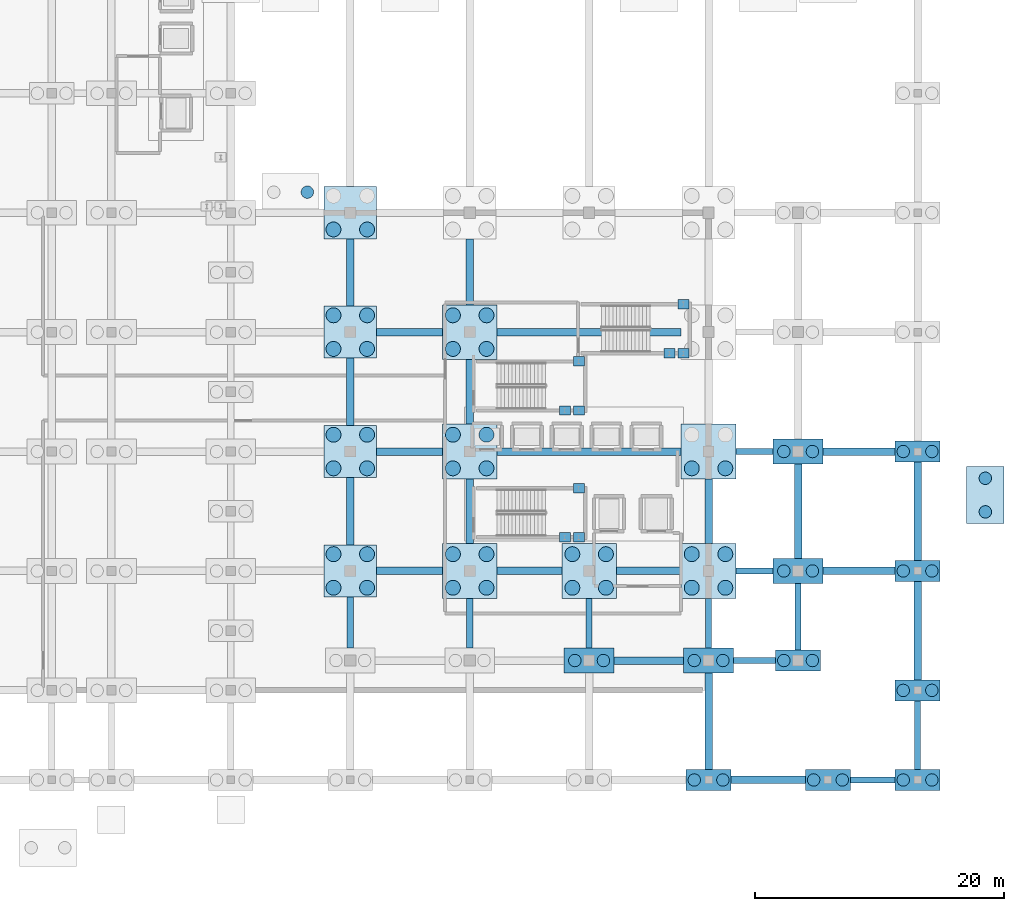
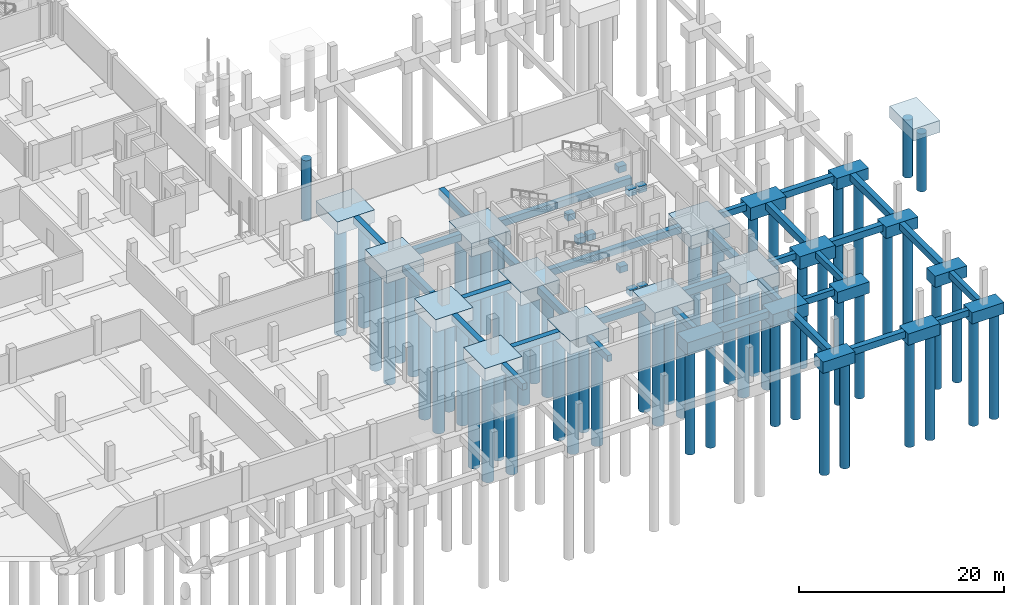
# One storey, part 9 of 54: 63 footings, 61 piles.
"""IFC4 building model written with IfcOpenShell, lengths in metres."""

from ifc_helpers import new_model, si_unit, direction, frame, origin, origin_2d, place, context, subcontext, project, spatial, rectangle, circle, extrude, material, material_profile, profile_set, type_object, element, save


model = new_model("IFC4")

# Units and contexts
model_context = context("Model", 3, precision=1e-05, world=origin(), true_north=direction((0.0, 1.0)))
body_context = subcontext(model_context, "Body", "Model", "MODEL_VIEW")
ifc_project = project(units=[si_unit("LENGTHUNIT", "METRE"), si_unit("AREAUNIT", "SQUARE_METRE"), si_unit("VOLUMEUNIT", "CUBIC_METRE"), si_unit("PLANEANGLEUNIT", "RADIAN"), si_unit("MASSUNIT", "GRAM", prefix="KILO")], contexts=[model_context])

# Site, building, storey
site_placement = place(None, origin())
site = spatial("IfcSite", under=ifc_project, at=site_placement, CompositionType="ELEMENT")
building_placement = place(site_placement, origin())
building = spatial("IfcBuilding", under=site, at=building_placement, Name="Zevrakil Square Congress Hotel", CompositionType="ELEMENT")
storey_placement = place(building_placement, frame((0.0, 0.0, -8.39990234375)))
storey = spatial("IfcBuildingStorey", under=building, at=storey_placement, Name="B2", CompositionType="ELEMENT", Elevation=-8.39990234375)

# Footings
ifc_material_1 = material(Name="Concrete C35/45", Category="concrete")
footing_type_1 = type_object("IfcFootingType", Name="FTG-PC2-300x460", PredefinedType="PILE_CAP", material=ifc_material_1)
footing_1_placement = place(storey_placement, frame((178.25, 22.89990234375, 5.449951171875), z_axis=(0.0, 0.0, 1.0), x_axis=(1.0, 0.0, 0.0)))
element("IfcFooting", 1, at=footing_1_placement, inside=storey, type_object=footing_type_1, Name="Accessible ramp apron two-pile cap PR-04", PredefinedType="PILE_CAP", context=body_context, shape_type="SweptSolid", body=[
    extrude(rectangle(XDim=3.0, YDim=4.60009765625, at=origin_2d()), origin(), (0.0, 0.0, 1.0), 1.39990234375),
])
ifc_material_2 = material(Name="Concrete C35/45", Category="concrete")
footing_type_2 = type_object("IfcFootingType", Name="FTG-PC2-360", PredefinedType="PILE_CAP", material=ifc_material_2)
for number, where, z_axis, x_axis, name in (
    (2, (156.0, 0.0, -1.35009765625), (0.0, 0.0, 1.0), (1.0, 0.0, 0.0), "Pile cap PC2-238"),
    (3, (163.199951171875, 9.60009765625, -1.35009765625), (0.0, 0.0, 1.0), (1.0, 0.0, 0.0), "Pile cap PC2-N163-009"),
    (4, (165.60009765625, 0.0, -1.35009765625), (0.0, 0.0, 1.0), (1.0, 0.0, 0.0), "Pile cap PC2-252"),
    (5, (172.800048828125, 0.0, -1.35009765625), (0.0, 0.0, 1.0), (1.0, 0.0, 0.0), "Pile cap PC2-266"),
    (6, (172.800048828125, 7.199951171875, -1.35009765625), (0.0, 0.0, 1.0), (1.0, 0.0, 0.0), "Pile cap PC2-267"),
    (7, (172.800048828125, 16.800048828125, -1.35009765625), (0.0, 0.0, 1.0), (1.0, 0.0, 0.0), "Pile cap PC2-268"),
    (8, (172.800048828125, 26.39990234375, -1.35009765625), (0.0, 0.0, 1.0), (1.0, 0.0, 0.0), "Pile cap PC2-269"),
):
    element("IfcFooting", number, at=place(storey_placement, frame(where, z_axis=z_axis, x_axis=x_axis)), inside=storey, type_object=footing_type_2, Name=name, PredefinedType="PILE_CAP", context=body_context, shape_type="SweptSolid", body=[
        extrude(rectangle(XDim=3.60009765625, YDim=1.699951171875, at=origin_2d()), origin(), (0.0, 0.0, 1.0), 1.35009765625),
    ])
ifc_material_3 = material(Name="Concrete C35/45", Category="concrete")
footing_type_3 = type_object("IfcFootingType", Name="FTG-PC2-400", PredefinedType="PILE_CAP", material=ifc_material_3)
for number, where, z_axis, x_axis, name in (
    (9, (146.39990234375, 9.60009765625, -1.5), (0.0, 0.0, 1.0), (1.0, 0.0, 0.0), "Pile cap PC2-N146-009"),
    (10, (156.0, 9.60009765625, -1.5), (0.0, 0.0, 1.0), (1.0, 0.0, 0.0), "Pile cap PC2-N156-009"),
    (11, (163.199951171875, 16.800048828125, -1.5), (0.0, 0.0, 1.0), (1.0, 0.0, 0.0), "Pile cap PC2-N163-016"),
    (12, (163.199951171875, 26.39990234375, -1.5), (0.0, 0.0, 1.0), (1.0, 0.0, 0.0), "Pile cap PC2-N163-026"),
):
    element("IfcFooting", number, at=place(storey_placement, frame(where, z_axis=z_axis, x_axis=x_axis)), inside=storey, type_object=footing_type_3, Name=name, PredefinedType="PILE_CAP", context=body_context, shape_type="SweptSolid", body=[
        extrude(rectangle(XDim=4.0, YDim=2.0, at=origin_2d()), origin(), (0.0, 0.0, 1.0), 1.5),
    ])
ifc_material_4 = material(Name="Concrete C35/45", Category="concrete")
footing_type_4 = type_object("IfcFootingType", Name="FTG-PC4-420", PredefinedType="PILE_CAP", material=ifc_material_4)
for number, where, z_axis, x_axis, name in (
    (13, (127.199951171875, 16.800048828125, -1.5), (0.0, 0.0, 1.0), (1.0, 0.0, 0.0), "Pile cap PC4-198"),
    (14, (127.199951171875, 26.39990234375, -1.5), (0.0, 0.0, 1.0), (1.0, 0.0, 0.0), "Pile cap PC4-199"),
    (15, (127.199951171875, 36.0, -1.5), (0.0, 0.0, 1.0), (1.0, 0.0, 0.0), "Pile cap PC4-200"),
    (16, (127.199951171875, 45.60009765625, -1.5), (0.0, 0.0, 1.0), (1.0, 0.0, 0.0), "Pile cap PC4-201"),
):
    element("IfcFooting", number, at=place(storey_placement, frame(where, z_axis=z_axis, x_axis=x_axis)), inside=storey, type_object=footing_type_4, Name=name, PredefinedType="PILE_CAP", context=body_context, shape_type="SweptSolid", body=[
        extrude(rectangle(XDim=4.199951171875, YDim=4.199951171875, at=origin_2d()), origin(), (0.0, 0.0, 1.0), 1.5),
    ])
ifc_material_5 = material(Name="Concrete C35/45", Category="concrete")
footing_type_5 = type_object("IfcFootingType", Name="FTG-PC4-440", PredefinedType="PILE_CAP", material=ifc_material_5)
for number, where, z_axis, x_axis, name in (
    (17, (136.800048828125, 16.800048828125, -1.60009765625), (0.0, 0.0, 1.0), (1.0, 0.0, 0.0), "Pile cap PC4-212"),
    (18, (136.800048828125, 26.39990234375, -1.60009765625), (0.0, 0.0, 1.0), (1.0, 0.0, 0.0), "Pile cap PC4-213"),
    (19, (136.800048828125, 36.0, -1.60009765625), (0.0, 0.0, 1.0), (1.0, 0.0, 0.0), "Pile cap PC4-214"),
    (20, (146.39990234375, 16.800048828125, -1.60009765625), (0.0, 0.0, 1.0), (1.0, 0.0, 0.0), "Pile cap PC4-226"),
    (21, (156.0, 16.800048828125, -1.60009765625), (0.0, 0.0, 1.0), (1.0, 0.0, 0.0), "Pile cap PC4-240"),
    (22, (156.0, 26.39990234375, -1.60009765625), (0.0, 0.0, 1.0), (1.0, 0.0, 0.0), "Pile cap PC4-241"),
):
    element("IfcFooting", number, at=place(storey_placement, frame(where, z_axis=z_axis, x_axis=x_axis)), inside=storey, type_object=footing_type_5, Name=name, PredefinedType="PILE_CAP", context=body_context, shape_type="SweptSolid", body=[
        extrude(rectangle(XDim=4.39990234375, YDim=4.39990234375, at=origin_2d()), origin(), (0.0, 0.0, 1.0), 1.60009765625),
    ])
ifc_material_6 = material(Name="Concrete C35/45", Category="concrete")
ifc_material_profile_1 = material_profile(ifc_material_6, rectangle(XDim=0.75, YDim=0.75, at=origin_2d()), Name="RC 750x750")
ifc_profile_set_1 = profile_set([ifc_material_profile_1], Name="Concrete C35/45")
footing_type_6 = type_object("IfcFootingType", Name="FTG-STRIP-750", PredefinedType="STRIP_FOOTING", material=ifc_profile_set_1)
footing_2_placement = place(storey_placement, frame((144.0, 19.5, -0.375), z_axis=(1.0, 0.0, 0.0), x_axis=(0.0, 1.0, 0.0)))
element("IfcFooting", 23, at=footing_2_placement, inside=storey, type_object=footing_type_6, Name="B2 stair post footing ST01-1", PredefinedType="STRIP_FOOTING", context=body_context, shape_type="SweptSolid", body=[
    extrude(rectangle(XDim=0.75, YDim=0.75, at=origin_2d()), origin(), (0.0, 0.0, 1.0), 0.89990234375),
])
for number, where, z_axis, x_axis, name in (
    (24, (145.1298828125, 19.5, -0.375), (1.0, 0.0, 0.0), (0.0, 1.0, 0.0), "B2 stair post footing ST01-2"),
    (25, (145.1298828125, 23.449951171875, -0.375), (1.0, 0.0, 0.0), (0.0, 1.0, 0.0), "B2 stair post footing ST01-3"),
):
    element("IfcFooting", number, at=place(storey_placement, frame(where, z_axis=z_axis, x_axis=x_axis)), inside=storey, type_object=footing_type_6, Name=name, PredefinedType="STRIP_FOOTING", context=body_context, shape_type="SweptSolid", body=[
        extrude(rectangle(XDim=0.75, YDim=0.75, at=origin_2d()), origin(), (0.0, 0.0, 1.0), 0.900146484375),
    ])
footing_3_placement = place(storey_placement, frame((144.0, 29.699951171875, -0.375), z_axis=(1.0, 0.0, 0.0), x_axis=(0.0, 1.0, 0.0)))
element("IfcFooting", 26, at=footing_3_placement, inside=storey, type_object=footing_type_6, Name="B2 stair post footing ST02-1", PredefinedType="STRIP_FOOTING", context=body_context, shape_type="SweptSolid", body=[
    extrude(rectangle(XDim=0.75, YDim=0.75, at=origin_2d()), origin(), (0.0, 0.0, 1.0), 0.89990234375),
])
for number, where, z_axis, x_axis, name in (
    (27, (145.1298828125, 29.699951171875, -0.375), (1.0, 0.0, 0.0), (0.0, 1.0, 0.0), "B2 stair post footing ST02-2"),
    (28, (145.1298828125, 33.64990234375, -0.375), (1.0, 0.0, 0.0), (0.0, 1.0, 0.0), "B2 stair post footing ST02-3"),
    (29, (152.39990234375, 34.300048828125, -0.375), (1.0, 0.0, 0.0), (0.0, 1.0, 0.0), "B2 stair post footing ST03-1"),
):
    element("IfcFooting", number, at=place(storey_placement, frame(where, z_axis=z_axis, x_axis=x_axis)), inside=storey, type_object=footing_type_6, Name=name, PredefinedType="STRIP_FOOTING", context=body_context, shape_type="SweptSolid", body=[
        extrude(rectangle(XDim=0.75, YDim=0.75, at=origin_2d()), origin(), (0.0, 0.0, 1.0), 0.900146484375),
    ])
for number, where, z_axis, x_axis, name in (
    (30, (153.530029296875, 34.300048828125, -0.375), (1.0, 0.0, 0.0), (0.0, 1.0, 0.0), "B2 stair post footing ST03-2"),
    (31, (153.530029296875, 38.25, -0.375), (1.0, 0.0, 0.0), (0.0, 1.0, 0.0), "B2 stair post footing ST03-3"),
):
    element("IfcFooting", number, at=place(storey_placement, frame(where, z_axis=z_axis, x_axis=x_axis)), inside=storey, type_object=footing_type_6, Name=name, PredefinedType="STRIP_FOOTING", context=body_context, shape_type="SweptSolid", body=[
        extrude(rectangle(XDim=0.75, YDim=0.75, at=origin_2d()), origin(), (0.0, 0.0, 1.0), 0.89990234375),
    ])
ifc_material_7 = material(Name="Concrete C35/45", Category="concrete")
ifc_material_profile_2 = material_profile(ifc_material_7, rectangle(XDim=0.5, YDim=0.75, at=origin_2d()), Name="RC 500x750")
ifc_profile_set_2 = profile_set([ifc_material_profile_2], Name="Concrete C35/45")
footing_type_7 = type_object("IfcFootingType", Name="FTG-TIE-500x750", PredefinedType="FOOTING_BEAM", material=ifc_profile_set_2)
footing_4_placement = place(storey_placement, frame((167.39990234375, 0.0, -0.375), z_axis=(1.0, 0.0, 0.0), x_axis=(0.0, 1.0, 0.0)))
element("IfcFooting", 32, at=footing_4_placement, inside=storey, type_object=footing_type_7, Name="Ground tie beam GB-019", PredefinedType="FOOTING_BEAM", context=body_context, shape_type="SweptSolid", body=[
    extrude(rectangle(XDim=0.5, YDim=0.75, at=origin_2d()), origin(), (0.0, 0.0, 1.0), 3.60009765625),
])
footing_5_placement = place(storey_placement, frame((158.0, 9.60009765625, -0.375), z_axis=(1.0, 0.0, 0.0), x_axis=(0.0, 1.0, 0.0)))
element("IfcFooting", 33, at=footing_5_placement, inside=storey, type_object=footing_type_7, Name="Ground tie beam GB-035", PredefinedType="FOOTING_BEAM", context=body_context, shape_type="SweptSolid", body=[
    extrude(rectangle(XDim=0.5, YDim=0.75, at=origin_2d()), origin(), (0.0, 0.0, 1.0), 3.39990234375),
])
for number, where, z_axis, x_axis, name in (
    (34, (158.199951171875, 16.800048828125, -0.375), (1.0, 0.0, 0.0), (0.0, 1.0, 0.0), "Ground tie beam GB-052"),
    (35, (158.199951171875, 26.39990234375, -0.375), (1.0, 0.0, 0.0), (0.0, 1.0, 0.0), "Ground tie beam GB-069"),
):
    element("IfcFooting", number, at=place(storey_placement, frame(where, z_axis=z_axis, x_axis=x_axis)), inside=storey, type_object=footing_type_7, Name=name, PredefinedType="FOOTING_BEAM", context=body_context, shape_type="SweptSolid", body=[
        extrude(rectangle(XDim=0.5, YDim=0.75, at=origin_2d()), origin(), (0.0, 0.0, 1.0), 3.0),
    ])
footing_6_placement = place(storey_placement, frame((127.199951171875, 10.60009765625, -0.375), z_axis=(0.0, 1.0, 0.0), x_axis=(-1.0, 0.0, 0.0)))
element("IfcFooting", 36, at=footing_6_placement, inside=storey, type_object=footing_type_7, Name="Ground tie beam GB-392", PredefinedType="FOOTING_BEAM", context=body_context, shape_type="SweptSolid", body=[
    extrude(rectangle(XDim=0.5, YDim=0.75, at=origin_2d()), origin(), (0.0, 0.0, 1.0), 4.099853515625),
])
for number, where, z_axis, x_axis, name in (
    (37, (136.800048828125, 10.60009765625, -0.375), (0.0, 1.0, 0.0), (-1.0, 0.0, 0.0), "Ground tie beam GB-399"),
    (38, (146.39990234375, 10.60009765625, -0.375), (0.0, 1.0, 0.0), (-1.0, 0.0, 0.0), "Ground tie beam GB-406"),
    (39, (156.0, 10.60009765625, -0.375), (0.0, 1.0, 0.0), (-1.0, 0.0, 0.0), "Ground tie beam GB-410"),
):
    element("IfcFooting", number, at=place(storey_placement, frame(where, z_axis=z_axis, x_axis=x_axis)), inside=storey, type_object=footing_type_7, Name=name, PredefinedType="FOOTING_BEAM", context=body_context, shape_type="SweptSolid", body=[
        extrude(rectangle(XDim=0.5, YDim=0.75, at=origin_2d()), origin(), (0.0, 0.0, 1.0), 4.0),
    ])
footing_7_placement = place(storey_placement, frame((163.199951171875, 10.449951171875, -0.375), z_axis=(0.0, 1.0, 0.0), x_axis=(-1.0, 0.0, 0.0)))
element("IfcFooting", 40, at=footing_7_placement, inside=storey, type_object=footing_type_7, Name="Ground tie beam GB-416", PredefinedType="FOOTING_BEAM", context=body_context, shape_type="SweptSolid", body=[
    extrude(rectangle(XDim=0.5, YDim=0.75, at=origin_2d()), origin(), (0.0, 0.0, 1.0), 5.35009765625),
])
footing_8_placement = place(storey_placement, frame((172.800048828125, 0.85009765625, -0.375), z_axis=(0.0, 1.0, 0.0), x_axis=(-1.0, 0.0, 0.0)))
element("IfcFooting", 41, at=footing_8_placement, inside=storey, type_object=footing_type_7, Name="Ground tie beam GB-426", PredefinedType="FOOTING_BEAM", context=body_context, shape_type="SweptSolid", body=[
    extrude(rectangle(XDim=0.5, YDim=0.75, at=origin_2d()), origin(), (0.0, 0.0, 1.0), 5.5),
])
ifc_material_8 = material(Name="Concrete C35/45", Category="concrete")
ifc_material_profile_3 = material_profile(ifc_material_8, rectangle(XDim=0.60009765625, YDim=0.800048828125, at=origin_2d()), Name="RC 600x800")
ifc_profile_set_3 = profile_set([ifc_material_profile_3], Name="Concrete C35/45")
footing_type_8 = type_object("IfcFootingType", Name="FTG-TIE-600x800", PredefinedType="FOOTING_BEAM", material=ifc_profile_set_3)
footing_9_placement = place(storey_placement, frame((157.800048828125, 0.0, -0.400146484375), z_axis=(1.0, 0.0, 0.0), x_axis=(0.0, 1.0, 0.0)))
element("IfcFooting", 42, at=footing_9_placement, inside=storey, type_object=footing_type_8, Name="Ground tie beam GB-018", PredefinedType="FOOTING_BEAM", context=body_context, shape_type="SweptSolid", body=[
    extrude(rectangle(XDim=0.60009765625, YDim=0.800048828125, at=origin_2d()), origin(), (0.0, 0.0, 1.0), 6.0),
])
footing_10_placement = place(storey_placement, frame((148.39990234375, 9.60009765625, -0.400146484375), z_axis=(1.0, 0.0, 0.0), x_axis=(0.0, 1.0, 0.0)))
element("IfcFooting", 43, at=footing_10_placement, inside=storey, type_object=footing_type_8, Name="Ground tie beam GB-034", PredefinedType="FOOTING_BEAM", context=body_context, shape_type="SweptSolid", body=[
    extrude(rectangle(XDim=0.60009765625, YDim=0.800048828125, at=origin_2d()), origin(), (0.0, 0.0, 1.0), 5.60009765625),
])
footing_11_placement = place(storey_placement, frame((129.300048828125, 16.800048828125, -0.400146484375), z_axis=(1.0, 0.0, 0.0), x_axis=(0.0, 1.0, 0.0)))
element("IfcFooting", 44, at=footing_11_placement, inside=storey, type_object=footing_type_8, Name="Ground tie beam GB-049", PredefinedType="FOOTING_BEAM", context=body_context, shape_type="SweptSolid", body=[
    extrude(rectangle(XDim=0.60009765625, YDim=0.800048828125, at=origin_2d()), origin(), (0.0, 0.0, 1.0), 5.300048828125),
])
for number, where, z_axis, x_axis, name in (
    (45, (139.0, 16.800048828125, -0.400146484375), (1.0, 0.0, 0.0), (0.0, 1.0, 0.0), "Ground tie beam GB-050"),
    (46, (148.60009765625, 16.800048828125, -0.400146484375), (1.0, 0.0, 0.0), (0.0, 1.0, 0.0), "Ground tie beam GB-051"),
):
    element("IfcFooting", number, at=place(storey_placement, frame(where, z_axis=z_axis, x_axis=x_axis)), inside=storey, type_object=footing_type_8, Name=name, PredefinedType="FOOTING_BEAM", context=body_context, shape_type="SweptSolid", body=[
        extrude(rectangle(XDim=0.60009765625, YDim=0.800048828125, at=origin_2d()), origin(), (0.0, 0.0, 1.0), 5.199951171875),
    ])
footing_12_placement = place(storey_placement, frame((165.199951171875, 16.800048828125, -0.400146484375), z_axis=(1.0, 0.0, 0.0), x_axis=(0.0, 1.0, 0.0)))
element("IfcFooting", 47, at=footing_12_placement, inside=storey, type_object=footing_type_8, Name="Ground tie beam GB-053", PredefinedType="FOOTING_BEAM", context=body_context, shape_type="SweptSolid", body=[
    extrude(rectangle(XDim=0.60009765625, YDim=0.800048828125, at=origin_2d()), origin(), (0.0, 0.0, 1.0), 5.800048828125),
])
footing_13_placement = place(storey_placement, frame((129.300048828125, 26.39990234375, -0.400146484375), z_axis=(1.0, 0.0, 0.0), x_axis=(0.0, 1.0, 0.0)))
element("IfcFooting", 48, at=footing_13_placement, inside=storey, type_object=footing_type_8, Name="Ground tie beam GB-067", PredefinedType="FOOTING_BEAM", context=body_context, shape_type="SweptSolid", body=[
    extrude(rectangle(XDim=0.60009765625, YDim=0.800048828125, at=origin_2d()), origin(), (0.0, 0.0, 1.0), 5.300048828125),
])
footing_14_placement = place(storey_placement, frame((139.0, 26.39990234375, -0.400146484375), z_axis=(1.0, 0.0, 0.0), x_axis=(0.0, 1.0, 0.0)))
element("IfcFooting", 49, at=footing_14_placement, inside=storey, type_object=footing_type_8, Name="Ground tie beam GB-068", PredefinedType="FOOTING_BEAM", context=body_context, shape_type="SweptSolid", body=[
    extrude(rectangle(XDim=0.60009765625, YDim=0.800048828125, at=origin_2d()), origin(), (0.0, 0.0, 1.0), 14.800048828125),
])
footing_15_placement = place(storey_placement, frame((165.199951171875, 26.39990234375, -0.400146484375), z_axis=(1.0, 0.0, 0.0), x_axis=(0.0, 1.0, 0.0)))
element("IfcFooting", 50, at=footing_15_placement, inside=storey, type_object=footing_type_8, Name="Ground tie beam GB-070", PredefinedType="FOOTING_BEAM", context=body_context, shape_type="SweptSolid", body=[
    extrude(rectangle(XDim=0.60009765625, YDim=0.800048828125, at=origin_2d()), origin(), (0.0, 0.0, 1.0), 5.800048828125),
])
footing_16_placement = place(storey_placement, frame((129.300048828125, 36.0, -0.400146484375), z_axis=(1.0, 0.0, 0.0), x_axis=(0.0, 1.0, 0.0)))
element("IfcFooting", 51, at=footing_16_placement, inside=storey, type_object=footing_type_8, Name="Ground tie beam GB-084", PredefinedType="FOOTING_BEAM", context=body_context, shape_type="SweptSolid", body=[
    extrude(rectangle(XDim=0.60009765625, YDim=0.800048828125, at=origin_2d()), origin(), (0.0, 0.0, 1.0), 5.300048828125),
])
footing_17_placement = place(storey_placement, frame((139.0, 36.0, -0.400146484375), z_axis=(1.0, 0.0, 0.0), x_axis=(0.0, 1.0, 0.0)))
element("IfcFooting", 52, at=footing_17_placement, inside=storey, type_object=footing_type_8, Name="Ground tie beam GB-085", PredefinedType="FOOTING_BEAM", context=body_context, shape_type="SweptSolid", body=[
    extrude(rectangle(XDim=0.60009765625, YDim=0.800048828125, at=origin_2d()), origin(), (0.0, 0.0, 1.0), 14.800048828125),
])
footing_18_placement = place(storey_placement, frame((127.199951171875, 18.89990234375, -0.400146484375), z_axis=(0.0, 1.0, 0.0), x_axis=(-1.0, 0.0, 0.0)))
element("IfcFooting", 53, at=footing_18_placement, inside=storey, type_object=footing_type_8, Name="Ground tie beam GB-393", PredefinedType="FOOTING_BEAM", context=body_context, shape_type="SweptSolid", body=[
    extrude(rectangle(XDim=0.60009765625, YDim=0.800048828125, at=origin_2d()), origin(), (0.0, 0.0, 1.0), 5.400146484375),
])
for number, where, z_axis, x_axis, name in (
    (54, (127.199951171875, 28.5, -0.400146484375), (0.0, 1.0, 0.0), (-1.0, 0.0, 0.0), "Ground tie beam GB-394"),
    (55, (127.199951171875, 38.10009765625, -0.400146484375), (0.0, 1.0, 0.0), (-1.0, 0.0, 0.0), "Ground tie beam GB-395"),
):
    element("IfcFooting", number, at=place(storey_placement, frame(where, z_axis=z_axis, x_axis=x_axis)), inside=storey, type_object=footing_type_8, Name=name, PredefinedType="FOOTING_BEAM", context=body_context, shape_type="SweptSolid", body=[
        extrude(rectangle(XDim=0.60009765625, YDim=0.800048828125, at=origin_2d()), origin(), (0.0, 0.0, 1.0), 5.39990234375),
    ])
for number, where, z_axis, x_axis, name in (
    (56, (136.800048828125, 19.0, -0.400146484375), (0.0, 1.0, 0.0), (-1.0, 0.0, 0.0), "Ground tie beam GB-400"),
    (57, (136.800048828125, 28.60009765625, -0.400146484375), (0.0, 1.0, 0.0), (-1.0, 0.0, 0.0), "Ground tie beam GB-401"),
):
    element("IfcFooting", number, at=place(storey_placement, frame(where, z_axis=z_axis, x_axis=x_axis)), inside=storey, type_object=footing_type_8, Name=name, PredefinedType="FOOTING_BEAM", context=body_context, shape_type="SweptSolid", body=[
        extrude(rectangle(XDim=0.60009765625, YDim=0.800048828125, at=origin_2d()), origin(), (0.0, 0.0, 1.0), 5.199951171875),
    ])
footing_19_placement = place(storey_placement, frame((136.800048828125, 38.199951171875, -0.400146484375), z_axis=(0.0, 1.0, 0.0), x_axis=(-1.0, 0.0, 0.0)))
element("IfcFooting", 58, at=footing_19_placement, inside=storey, type_object=footing_type_8, Name="Ground tie beam GB-402", PredefinedType="FOOTING_BEAM", context=body_context, shape_type="SweptSolid", body=[
    extrude(rectangle(XDim=0.60009765625, YDim=0.800048828125, at=origin_2d()), origin(), (0.0, 0.0, 1.0), 5.300048828125),
])
footing_20_placement = place(storey_placement, frame((156.0, 0.85009765625, -0.400146484375), z_axis=(0.0, 1.0, 0.0), x_axis=(-1.0, 0.0, 0.0)))
element("IfcFooting", 59, at=footing_20_placement, inside=storey, type_object=footing_type_8, Name="Ground tie beam GB-409", PredefinedType="FOOTING_BEAM", context=body_context, shape_type="SweptSolid", body=[
    extrude(rectangle(XDim=0.60009765625, YDim=0.800048828125, at=origin_2d()), origin(), (0.0, 0.0, 1.0), 7.75),
])
footing_21_placement = place(storey_placement, frame((156.0, 19.0, -0.400146484375), z_axis=(0.0, 1.0, 0.0), x_axis=(-1.0, 0.0, 0.0)))
element("IfcFooting", 60, at=footing_21_placement, inside=storey, type_object=footing_type_8, Name="Ground tie beam GB-411", PredefinedType="FOOTING_BEAM", context=body_context, shape_type="SweptSolid", body=[
    extrude(rectangle(XDim=0.60009765625, YDim=0.800048828125, at=origin_2d()), origin(), (0.0, 0.0, 1.0), 5.199951171875),
])
footing_22_placement = place(storey_placement, frame((163.199951171875, 17.800048828125, -0.400146484375), z_axis=(0.0, 1.0, 0.0), x_axis=(-1.0, 0.0, 0.0)))
element("IfcFooting", 61, at=footing_22_placement, inside=storey, type_object=footing_type_8, Name="Ground tie beam GB-417", PredefinedType="FOOTING_BEAM", context=body_context, shape_type="SweptSolid", body=[
    extrude(rectangle(XDim=0.60009765625, YDim=0.800048828125, at=origin_2d()), origin(), (0.0, 0.0, 1.0), 7.599853515625),
])
footing_23_placement = place(storey_placement, frame((172.800048828125, 8.050048828125, -0.400146484375), z_axis=(0.0, 1.0, 0.0), x_axis=(-1.0, 0.0, 0.0)))
element("IfcFooting", 62, at=footing_23_placement, inside=storey, type_object=footing_type_8, Name="Ground tie beam GB-427", PredefinedType="FOOTING_BEAM", context=body_context, shape_type="SweptSolid", body=[
    extrude(rectangle(XDim=0.60009765625, YDim=0.800048828125, at=origin_2d()), origin(), (0.0, 0.0, 1.0), 7.89990234375),
])
footing_24_placement = place(storey_placement, frame((172.800048828125, 17.64990234375, -0.400146484375), z_axis=(0.0, 1.0, 0.0), x_axis=(-1.0, 0.0, 0.0)))
element("IfcFooting", 63, at=footing_24_placement, inside=storey, type_object=footing_type_8, Name="Ground tie beam GB-428", PredefinedType="FOOTING_BEAM", context=body_context, shape_type="SweptSolid", body=[
    extrude(rectangle(XDim=0.60009765625, YDim=0.800048828125, at=origin_2d()), origin(), (0.0, 0.0, 1.0), 7.900146484375),
])

# Piles
ifc_material_9 = material(Name="Concrete C35/45", Category="concrete")
ifc_material_profile_4 = material_profile(ifc_material_9, circle(Radius=0.5, at=origin_2d()), Name="PILE D1000")
ifc_profile_set_4 = profile_set([ifc_material_profile_4], Name="Concrete C35/45")
pile_type_1 = type_object("IfcPileType", Name="PILE-BORED-1000", PredefinedType="BORED", material=ifc_profile_set_4)
for number, where, z_axis, x_axis, name in (
    (64, (145.25, 9.60009765625, -1.400146484375), (0.0, 0.0, -1.0), (1.0, 0.0, 0.0), "Bored pile PC2-N146-009-1"),
    (65, (147.550048828125, 9.60009765625, -1.400146484375), (0.0, 0.0, -1.0), (1.0, 0.0, 0.0), "Bored pile PC2-N146-009-2"),
):
    element("IfcPile", number, at=place(storey_placement, frame(where, z_axis=z_axis, x_axis=x_axis)), inside=storey, type_object=pile_type_1, Name=name, PredefinedType="BORED", context=body_context, shape_type="SweptSolid", body=[
        extrude(circle(Radius=0.5, at=origin_2d()), origin(), (0.0, 0.0, 1.0), 12.5),
    ])
for number, where, z_axis, x_axis, name in (
    (66, (154.85009765625, 0.0, -1.25), (0.0, 0.0, -1.0), (1.0, 0.0, 0.0), "Bored pile PC2-238-1"),
    (67, (157.14990234375, 0.0, -1.25), (0.0, 0.0, -1.0), (1.0, 0.0, 0.0), "Bored pile PC2-238-2"),
):
    element("IfcPile", number, at=place(storey_placement, frame(where, z_axis=z_axis, x_axis=x_axis)), inside=storey, type_object=pile_type_1, Name=name, PredefinedType="BORED", context=body_context, shape_type="SweptSolid", body=[
        extrude(circle(Radius=0.5, at=origin_2d()), origin(), (0.0, 0.0, 1.0), 12.64990234375),
    ])
for number, where, z_axis, x_axis, name in (
    (68, (154.85009765625, 9.60009765625, -1.400146484375), (0.0, 0.0, -1.0), (1.0, 0.0, 0.0), "Bored pile PC2-N156-009-1"),
    (69, (157.14990234375, 9.60009765625, -1.400146484375), (0.0, 0.0, -1.0), (1.0, 0.0, 0.0), "Bored pile PC2-N156-009-2"),
):
    element("IfcPile", number, at=place(storey_placement, frame(where, z_axis=z_axis, x_axis=x_axis)), inside=storey, type_object=pile_type_1, Name=name, PredefinedType="BORED", context=body_context, shape_type="SweptSolid", body=[
        extrude(circle(Radius=0.5, at=origin_2d()), origin(), (0.0, 0.0, 1.0), 12.5),
    ])
for number, where, z_axis, x_axis, name in (
    (70, (162.050048828125, 9.60009765625, -1.25), (0.0, 0.0, -1.0), (1.0, 0.0, 0.0), "Bored pile PC2-N163-009-1"),
    (71, (164.35009765625, 9.60009765625, -1.25), (0.0, 0.0, -1.0), (1.0, 0.0, 0.0), "Bored pile PC2-N163-009-2"),
):
    element("IfcPile", number, at=place(storey_placement, frame(where, z_axis=z_axis, x_axis=x_axis)), inside=storey, type_object=pile_type_1, Name=name, PredefinedType="BORED", context=body_context, shape_type="SweptSolid", body=[
        extrude(circle(Radius=0.5, at=origin_2d()), origin(), (0.0, 0.0, 1.0), 12.64990234375),
    ])
for number, where, z_axis, x_axis, name in (
    (72, (162.050048828125, 16.800048828125, -1.400146484375), (0.0, 0.0, -1.0), (1.0, 0.0, 0.0), "Bored pile PC2-N163-016-1"),
    (73, (164.35009765625, 16.800048828125, -1.400146484375), (0.0, 0.0, -1.0), (1.0, 0.0, 0.0), "Bored pile PC2-N163-016-2"),
    (74, (162.050048828125, 26.39990234375, -1.400146484375), (0.0, 0.0, -1.0), (1.0, 0.0, 0.0), "Bored pile PC2-N163-026-1"),
    (75, (164.35009765625, 26.39990234375, -1.400146484375), (0.0, 0.0, -1.0), (1.0, 0.0, 0.0), "Bored pile PC2-N163-026-2"),
):
    element("IfcPile", number, at=place(storey_placement, frame(where, z_axis=z_axis, x_axis=x_axis)), inside=storey, type_object=pile_type_1, Name=name, PredefinedType="BORED", context=body_context, shape_type="SweptSolid", body=[
        extrude(circle(Radius=0.5, at=origin_2d()), origin(), (0.0, 0.0, 1.0), 12.5),
    ])
for number, where, z_axis, x_axis, name in (
    (76, (164.449951171875, 0.0, -1.25), (0.0, 0.0, -1.0), (1.0, 0.0, 0.0), "Bored pile PC2-252-1"),
    (77, (166.75, 0.0, -1.25), (0.0, 0.0, -1.0), (1.0, 0.0, 0.0), "Bored pile PC2-252-2"),
    (78, (171.64990234375, 0.0, -1.25), (0.0, 0.0, -1.0), (1.0, 0.0, 0.0), "Bored pile PC2-266-1"),
    (79, (173.949951171875, 0.0, -1.25), (0.0, 0.0, -1.0), (1.0, 0.0, 0.0), "Bored pile PC2-266-2"),
    (80, (171.64990234375, 7.199951171875, -1.25), (0.0, 0.0, -1.0), (1.0, 0.0, 0.0), "Bored pile PC2-267-1"),
    (81, (173.949951171875, 7.199951171875, -1.25), (0.0, 0.0, -1.0), (1.0, 0.0, 0.0), "Bored pile PC2-267-2"),
    (82, (171.64990234375, 16.800048828125, -1.25), (0.0, 0.0, -1.0), (1.0, 0.0, 0.0), "Bored pile PC2-268-1"),
    (83, (173.949951171875, 16.800048828125, -1.25), (0.0, 0.0, -1.0), (1.0, 0.0, 0.0), "Bored pile PC2-268-2"),
    (84, (171.64990234375, 26.39990234375, -1.25), (0.0, 0.0, -1.0), (1.0, 0.0, 0.0), "Bored pile PC2-269-1"),
    (85, (173.949951171875, 26.39990234375, -1.25), (0.0, 0.0, -1.0), (1.0, 0.0, 0.0), "Bored pile PC2-269-2"),
):
    element("IfcPile", number, at=place(storey_placement, frame(where, z_axis=z_axis, x_axis=x_axis)), inside=storey, type_object=pile_type_1, Name=name, PredefinedType="BORED", context=body_context, shape_type="SweptSolid", body=[
        extrude(circle(Radius=0.5, at=origin_2d()), origin(), (0.0, 0.0, 1.0), 12.64990234375),
    ])
pile_placement = place(storey_placement, frame((123.75, 47.25, 5.849853515625), z_axis=(0.0, 0.0, -1.0), x_axis=(1.0, 0.0, 0.0)))
element("IfcPile", 86, at=pile_placement, inside=storey, type_object=pile_type_1, Name="Exterior exit apron bored pile EX-ST07-2", PredefinedType="BORED", context=body_context, shape_type="SweptSolid", body=[
    extrude(circle(Radius=0.5, at=origin_2d()), origin(), (0.0, 0.0, 1.0), 7.199951171875),
])
for number, where, z_axis, x_axis, name in (
    (87, (178.25, 21.550048828125, 5.5498046875), (0.0, 0.0, -1.0), (1.0, 0.0, 0.0), "Accessible ramp apron bored pile PR-04-1"),
    (88, (178.25, 24.25, 5.5498046875), (0.0, 0.0, -1.0), (1.0, 0.0, 0.0), "Accessible ramp apron bored pile PR-04-2"),
):
    element("IfcPile", number, at=place(storey_placement, frame(where, z_axis=z_axis, x_axis=x_axis)), inside=storey, type_object=pile_type_1, Name=name, PredefinedType="BORED", context=body_context, shape_type="SweptSolid", body=[
        extrude(circle(Radius=0.5, at=origin_2d()), origin(), (0.0, 0.0, 1.0), 6.89990234375),
    ])
ifc_material_10 = material(Name="Concrete C35/45", Category="concrete")
ifc_material_profile_5 = material_profile(ifc_material_10, circle(Radius=0.60009765625, at=origin_2d()), Name="PILE D1200")
ifc_profile_set_5 = profile_set([ifc_material_profile_5], Name="Concrete C35/45")
pile_type_2 = type_object("IfcPileType", Name="PILE-BORED-1200", PredefinedType="BORED", material=ifc_profile_set_5)
for number, where, z_axis, x_axis, name in (
    (89, (125.85009765625, 15.449951171875, -1.400146484375), (0.0, 0.0, -1.0), (1.0, 0.0, 0.0), "Bored pile PC4-198-1"),
    (90, (128.550048828125, 15.449951171875, -1.400146484375), (0.0, 0.0, -1.0), (1.0, 0.0, 0.0), "Bored pile PC4-198-2"),
    (91, (125.85009765625, 18.14990234375, -1.400146484375), (0.0, 0.0, -1.0), (1.0, 0.0, 0.0), "Bored pile PC4-198-3"),
    (92, (128.550048828125, 18.14990234375, -1.400146484375), (0.0, 0.0, -1.0), (1.0, 0.0, 0.0), "Bored pile PC4-198-4"),
    (93, (125.85009765625, 25.050048828125, -1.400146484375), (0.0, 0.0, -1.0), (1.0, 0.0, 0.0), "Bored pile PC4-199-1"),
    (94, (128.550048828125, 25.050048828125, -1.400146484375), (0.0, 0.0, -1.0), (1.0, 0.0, 0.0), "Bored pile PC4-199-2"),
    (95, (125.85009765625, 27.75, -1.400146484375), (0.0, 0.0, -1.0), (1.0, 0.0, 0.0), "Bored pile PC4-199-3"),
    (96, (128.550048828125, 27.75, -1.400146484375), (0.0, 0.0, -1.0), (1.0, 0.0, 0.0), "Bored pile PC4-199-4"),
    (97, (125.85009765625, 34.64990234375, -1.400146484375), (0.0, 0.0, -1.0), (1.0, 0.0, 0.0), "Bored pile PC4-200-1"),
    (98, (128.550048828125, 34.64990234375, -1.400146484375), (0.0, 0.0, -1.0), (1.0, 0.0, 0.0), "Bored pile PC4-200-2"),
    (99, (125.85009765625, 37.35009765625, -1.400146484375), (0.0, 0.0, -1.0), (1.0, 0.0, 0.0), "Bored pile PC4-200-3"),
    (100, (128.550048828125, 37.35009765625, -1.400146484375), (0.0, 0.0, -1.0), (1.0, 0.0, 0.0), "Bored pile PC4-200-4"),
    (101, (125.85009765625, 44.25, -1.400146484375), (0.0, 0.0, -1.0), (1.0, 0.0, 0.0), "Bored pile PC4-201-1"),
    (102, (128.550048828125, 44.25, -1.400146484375), (0.0, 0.0, -1.0), (1.0, 0.0, 0.0), "Bored pile PC4-201-2"),
):
    element("IfcPile", number, at=place(storey_placement, frame(where, z_axis=z_axis, x_axis=x_axis)), inside=storey, type_object=pile_type_2, Name=name, PredefinedType="BORED", context=body_context, shape_type="SweptSolid", body=[
        extrude(circle(Radius=0.60009765625, at=origin_2d()), origin(), (0.0, 0.0, 1.0), 12.5),
    ])
for number, where, z_axis, x_axis, name in (
    (103, (135.449951171875, 15.449951171875, -1.5), (0.0, 0.0, -1.0), (1.0, 0.0, 0.0), "Bored pile PC4-212-1"),
    (104, (138.14990234375, 15.449951171875, -1.5), (0.0, 0.0, -1.0), (1.0, 0.0, 0.0), "Bored pile PC4-212-2"),
    (105, (135.449951171875, 18.14990234375, -1.5), (0.0, 0.0, -1.0), (1.0, 0.0, 0.0), "Bored pile PC4-212-3"),
    (106, (138.14990234375, 18.14990234375, -1.5), (0.0, 0.0, -1.0), (1.0, 0.0, 0.0), "Bored pile PC4-212-4"),
    (107, (135.449951171875, 25.050048828125, -1.5), (0.0, 0.0, -1.0), (1.0, 0.0, 0.0), "Bored pile PC4-213-1"),
    (108, (138.14990234375, 25.050048828125, -1.5), (0.0, 0.0, -1.0), (1.0, 0.0, 0.0), "Bored pile PC4-213-2"),
    (109, (135.449951171875, 27.75, -1.5), (0.0, 0.0, -1.0), (1.0, 0.0, 0.0), "Bored pile PC4-213-3"),
    (110, (138.14990234375, 27.75, -1.5), (0.0, 0.0, -1.0), (1.0, 0.0, 0.0), "Bored pile PC4-213-4"),
    (111, (135.449951171875, 34.64990234375, -1.5), (0.0, 0.0, -1.0), (1.0, 0.0, 0.0), "Bored pile PC4-214-1"),
    (112, (138.14990234375, 34.64990234375, -1.5), (0.0, 0.0, -1.0), (1.0, 0.0, 0.0), "Bored pile PC4-214-2"),
    (113, (135.449951171875, 37.35009765625, -1.5), (0.0, 0.0, -1.0), (1.0, 0.0, 0.0), "Bored pile PC4-214-3"),
    (114, (138.14990234375, 37.35009765625, -1.5), (0.0, 0.0, -1.0), (1.0, 0.0, 0.0), "Bored pile PC4-214-4"),
    (115, (145.050048828125, 15.449951171875, -1.5), (0.0, 0.0, -1.0), (1.0, 0.0, 0.0), "Bored pile PC4-226-1"),
    (116, (147.75, 15.449951171875, -1.5), (0.0, 0.0, -1.0), (1.0, 0.0, 0.0), "Bored pile PC4-226-2"),
    (117, (145.050048828125, 18.14990234375, -1.5), (0.0, 0.0, -1.0), (1.0, 0.0, 0.0), "Bored pile PC4-226-3"),
    (118, (147.75, 18.14990234375, -1.5), (0.0, 0.0, -1.0), (1.0, 0.0, 0.0), "Bored pile PC4-226-4"),
    (119, (154.64990234375, 15.449951171875, -1.5), (0.0, 0.0, -1.0), (1.0, 0.0, 0.0), "Bored pile PC4-240-1"),
    (120, (157.35009765625, 15.449951171875, -1.5), (0.0, 0.0, -1.0), (1.0, 0.0, 0.0), "Bored pile PC4-240-2"),
    (121, (154.64990234375, 18.14990234375, -1.5), (0.0, 0.0, -1.0), (1.0, 0.0, 0.0), "Bored pile PC4-240-3"),
    (122, (157.35009765625, 18.14990234375, -1.5), (0.0, 0.0, -1.0), (1.0, 0.0, 0.0), "Bored pile PC4-240-4"),
    (123, (154.64990234375, 25.050048828125, -1.5), (0.0, 0.0, -1.0), (1.0, 0.0, 0.0), "Bored pile PC4-241-1"),
    (124, (157.35009765625, 25.050048828125, -1.5), (0.0, 0.0, -1.0), (1.0, 0.0, 0.0), "Bored pile PC4-241-2"),
):
    element("IfcPile", number, at=place(storey_placement, frame(where, z_axis=z_axis, x_axis=x_axis)), inside=storey, type_object=pile_type_2, Name=name, PredefinedType="BORED", context=body_context, shape_type="SweptSolid", body=[
        extrude(circle(Radius=0.60009765625, at=origin_2d()), origin(), (0.0, 0.0, 1.0), 12.39990234375),
    ])

save(model, "model.ifc")
